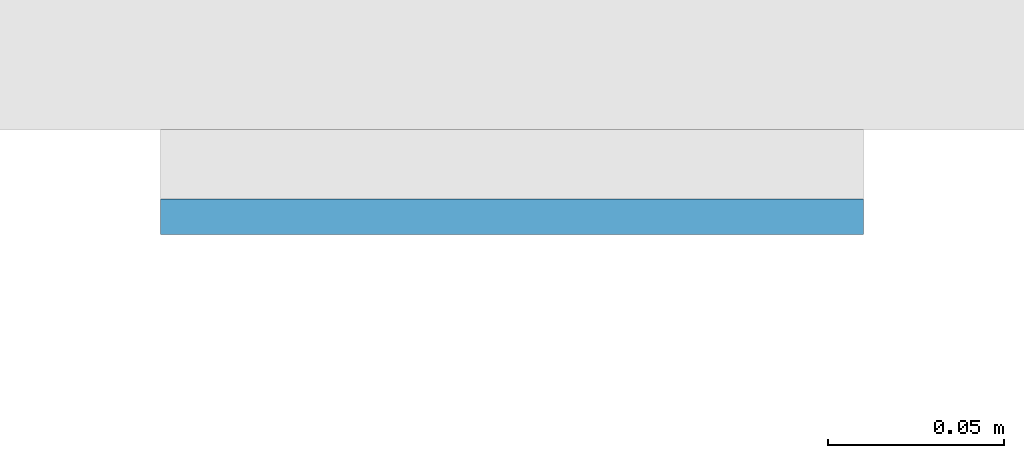
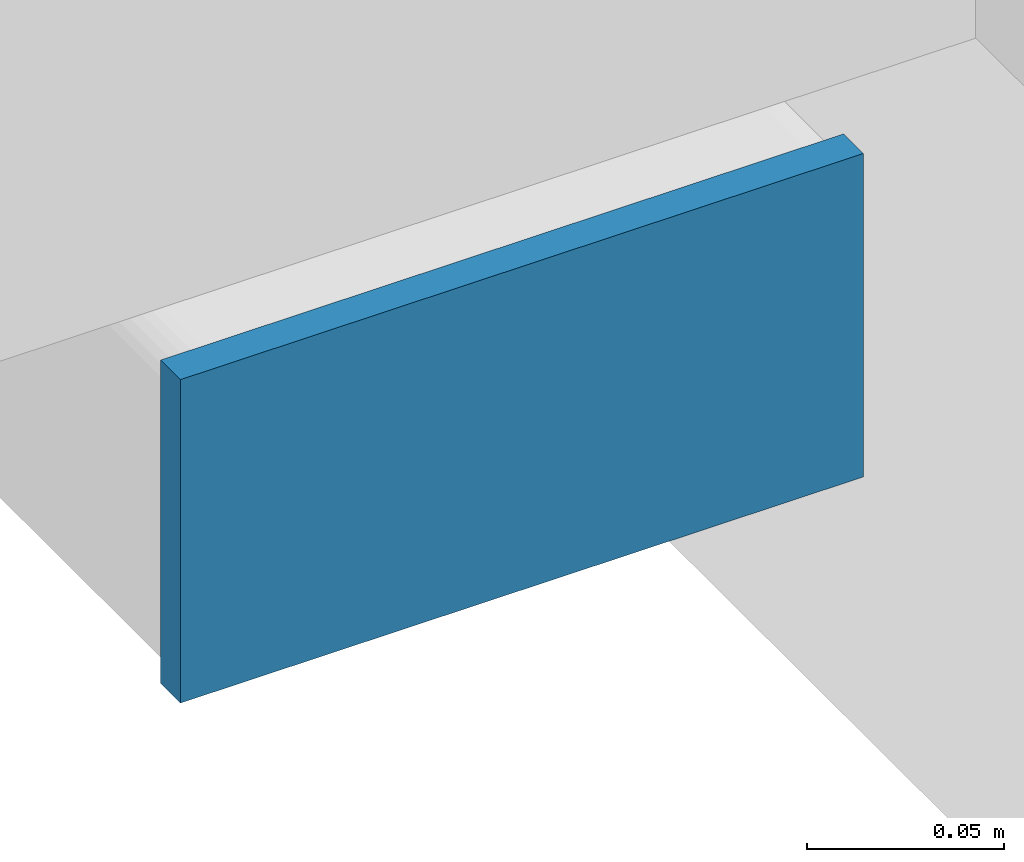
# One storey, part 8 of 20: 1 plate.
"""IFC4 building model written with IfcOpenShell, lengths in metres."""

from ifc_helpers import new_model, si_unit, direction, frame, origin, origin_2d, place, context, subcontext, project, spatial, rectangle, extrude, material, layer, layer_set, type_object, element, save


model = new_model("IFC4")

# Units and contexts
model_context = context("Model", 3, precision=1e-05, world=origin(), true_north=direction((0.0, 1.0)))
body_context = subcontext(model_context, "Body", "Model", "MODEL_VIEW")
ifc_project = project(units=[si_unit("LENGTHUNIT", "METRE"), si_unit("AREAUNIT", "SQUARE_METRE"), si_unit("VOLUMEUNIT", "CUBIC_METRE"), si_unit("PLANEANGLEUNIT", "RADIAN"), si_unit("MASSUNIT", "GRAM", prefix="KILO")], contexts=[model_context])

# Site, building, storey
site_placement = place(None, origin())
site = spatial("IfcSite", under=ifc_project, at=site_placement, CompositionType="ELEMENT")
building_placement = place(site_placement, origin())
building = spatial("IfcBuilding", under=site, at=building_placement, Name="Cleftline Residences", CompositionType="ELEMENT")
storey_placement = place(building_placement, frame((0.0, 0.0, 193.0)))
storey = spatial("IfcBuildingStorey", under=building, at=storey_placement, Name="L50", CompositionType="ELEMENT", Elevation=193.0)

# Plate
ifc_material = material(Name="Steel S355, hot-dip galvanised", Category="steel")
ifc_layer = layer(ifc_material, 0.010009765625)
ifc_layer_set = layer_set([ifc_layer], Name="BAGUETTE CARRIER END PLATE 200X100X10")
plate_type = type_object("IfcPlateType", Name="BAGUETTE CARRIER END PLATE 200X100X10", PredefinedType="USERDEFINED", material=ifc_layer_set)
plate_placement = place(storey_placement, frame((-0.85009765625, 3.695068359375, -0.10009765625), z_axis=(0.0, 0.0, 1.0), x_axis=(-1.0, 0.0, 0.0)))
element("IfcPlate", 1, at=plate_placement, inside=storey, type_object=plate_type, Name="Baguette carrier end plate", ObjectType="BAGUETTE CARRIER END PLATE", PredefinedType="USERDEFINED", context=body_context, shape_type="SweptSolid", body=[
    extrude(rectangle(XDim=0.199951171875, YDim=0.010009765625, at=origin_2d()), origin(), (0.0, 0.0, 1.0), 0.10009765625),
])

save(model, "model.ifc")
